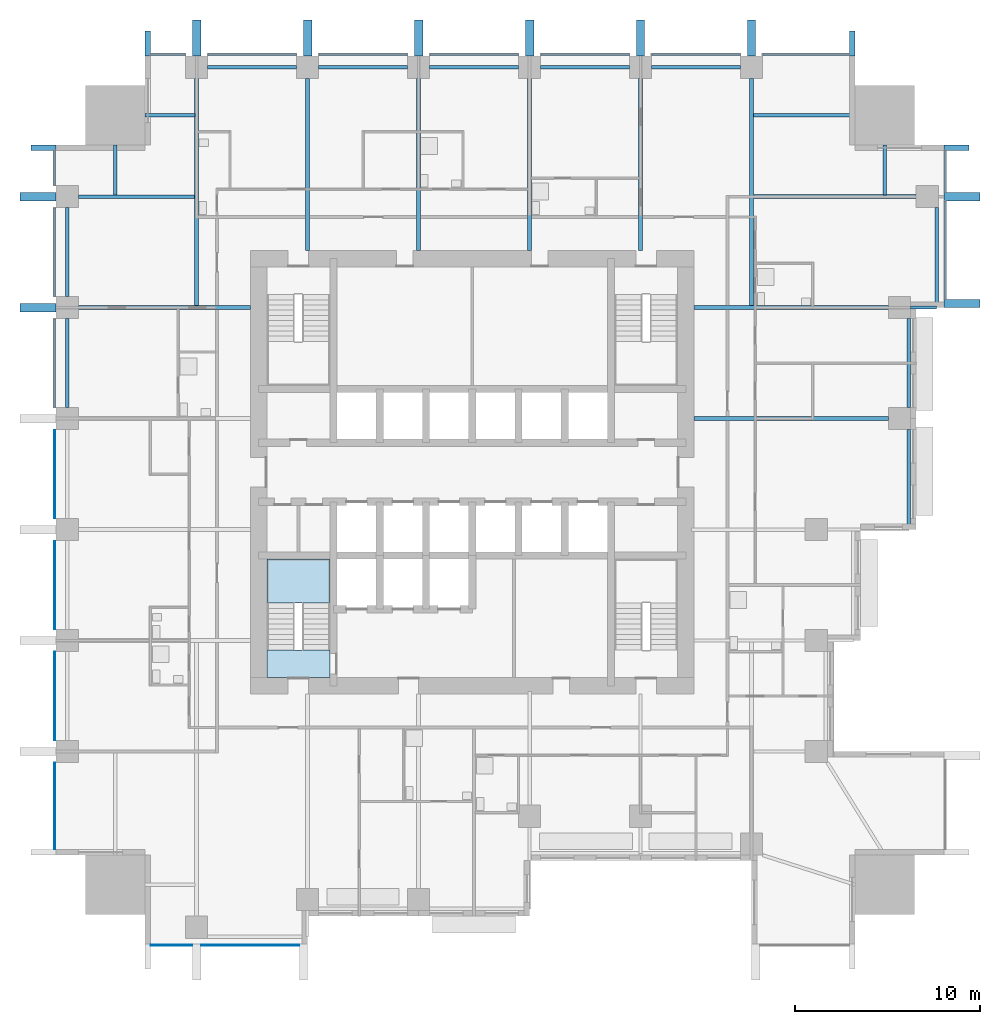
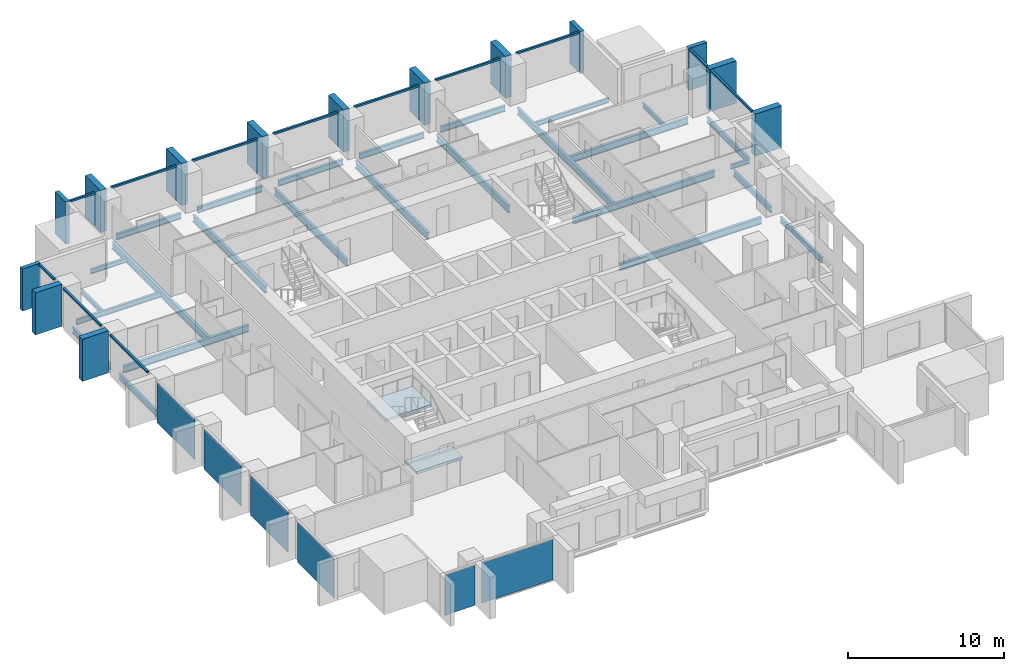
# One storey, part 2 of 10: 26 beams, 26 members, 6 plates, 2 slabs, 5 elements without a shape of their own.
"""IFC4 building model written with IfcOpenShell, lengths in metres."""

import ifcopenshell
import ifcopenshell.guid

model = None  # the IFC model being written
_history = None  # IfcOwnerHistory: only IFC2X3 demands one
_inside = {}  # id of a spatial element -> (the spatial element, [elements in it])
_under = {}  # id of a project, library or spatial element -> (it, [spatial elements below it])
_declared = {}  # id of a project -> (the project, [libraries it declares])
_typed = {}  # id of a type object -> (the type object, [elements of that type])
_made_of = {}  # id of a material, layer set ... -> (it, [elements and type objects made of it])


def new_model(schema):
    """Start an empty IFC model of exactly this schema.

    Asked for "IFC4X3", IfcOpenShell would pick the latest addendum, in which some entities
    have other attributes; the version numbers below select the first issue.
    IFC2X3 requires an IfcOwnerHistory on every rooted entity: one is made here for all.
    """
    global model, _history
    if schema == "IFC4X3":
        model = ifcopenshell.file(schema_version=(4, 3, 0, 0))
    else:
        model = ifcopenshell.file(schema=schema)
    _inside.clear()
    _under.clear()
    _declared.clear()
    _typed.clear()
    _made_of.clear()
    _history = None
    if model.schema == "IFC2X3":
        org = make("IfcOrganization", Name="unknown")
        user = make(
            "IfcPersonAndOrganization",
            ThePerson=make("IfcPerson", FamilyName="unknown"),
            TheOrganization=org,
        )
        app = make(
            "IfcApplication",
            ApplicationDeveloper=org,
            Version="unknown",
            ApplicationFullName="unknown",
            ApplicationIdentifier="unknown",
        )
        _history = make(
            "IfcOwnerHistory",
            OwningUser=user,
            OwningApplication=app,
            ChangeAction="ADDED",
            CreationDate=0,
        )
    return model


def make(cls, **values):
    """One entity of the class cls with the attributes given. An attribute that is None is left unset."""
    return model.create_entity(
        cls, **{name: value for name, value in values.items() if value is not None}
    )


def rooted(cls, **values):
    """An entity with a GlobalId (a new one), such as an element, a storey or a relation."""
    return make(cls, GlobalId=ifcopenshell.guid.new(), OwnerHistory=_history, **values)


def si_unit(unit_type, name, prefix=None):
    """IfcSIUnit, for example si_unit("LENGTHUNIT", "METRE", prefix="MILLI")."""
    return make("IfcSIUnit", UnitType=unit_type, Prefix=prefix, Name=name)


def assignment(units):
    """IfcUnitAssignment: the units of a project."""
    return None if units is None else make("IfcUnitAssignment", Units=units)


def point(xyz):
    """IfcCartesianPoint."""
    return None if xyz is None else make("IfcCartesianPoint", Coordinates=xyz)


def direction(xyz):
    """IfcDirection."""
    return None if xyz is None else make("IfcDirection", DirectionRatios=xyz)


def frame(location, z_axis=None, x_axis=None):
    """IfcAxis2Placement3D, a coordinate frame: its origin and axes. An axis left out is left unset."""
    return make(
        "IfcAxis2Placement3D",
        Location=point(location),
        Axis=direction(z_axis),
        RefDirection=direction(x_axis),
    )


def frame_2d(location, x_axis=None):
    """IfcAxis2Placement2D, a coordinate frame in the plane: its origin and x axis."""
    return make(
        "IfcAxis2Placement2D", Location=point(location), RefDirection=direction(x_axis)
    )


def origin():
    """The frame at (0, 0, 0) with its axes left unset."""
    return frame((0.0, 0.0, 0.0))


def origin_2d():
    """The frame at (0, 0) in the plane with its x axis left unset."""
    return frame_2d((0.0, 0.0))


def place(relative_to, where):
    """IfcLocalPlacement: puts the frame where relative to a parent placement (None: the world)."""
    return make(
        "IfcLocalPlacement", PlacementRelTo=relative_to, RelativePlacement=where
    )


def context(
    kind, dimensions, precision=None, world=None, true_north=None, identifier=None
):
    """IfcGeometricRepresentationContext, for example the 3D "Model" context."""
    return make(
        "IfcGeometricRepresentationContext",
        ContextIdentifier=identifier,
        ContextType=kind,
        CoordinateSpaceDimension=dimensions,
        Precision=precision,
        WorldCoordinateSystem=world,
        TrueNorth=true_north,
    )


def subcontext(parent, identifier, kind, view, scale=None):
    """IfcGeometricRepresentationSubContext, for example "Body" below "Model"."""
    return make(
        "IfcGeometricRepresentationSubContext",
        ContextIdentifier=identifier,
        ContextType=kind,
        ParentContext=parent,
        TargetScale=scale,
        TargetView=view,
    )


def project(units=None, contexts=None):
    """IfcProject with its units and contexts."""
    return rooted(
        "IfcProject",
        Name="project",
        RepresentationContexts=contexts,
        UnitsInContext=assignment(units),
    )


def spatial(cls, under=None, at=None, **own):
    """A site, building, storey or space (cls), placed at a placement, below another one or the project."""
    s = rooted(cls, ObjectPlacement=at, **own)
    if under is not None:
        _under.setdefault(under.id(), (under, []))[1].append(s)
    return s


def polyline(points):
    """IfcPolyline through the points."""
    return make("IfcPolyline", Points=[point(p) for p in points])


def profile(cls, at=None, kind="AREA", **sizes):
    """A parametric profile (cls). Its sizes go by their IFC names, for example OverallWidth=200.0."""
    return make(cls, ProfileType=kind, Position=at, **sizes)


def rectangle(**sizes):
    """IfcRectangleProfileDef."""
    return profile("IfcRectangleProfileDef", **sizes)


def i_section(**sizes):
    """IfcIShapeProfileDef."""
    return profile("IfcIShapeProfileDef", **sizes)


def outline(outer, holes=None, kind="AREA"):
    """IfcArbitraryClosedProfileDef: a profile drawn as a closed curve; with holes, ...WithVoids."""
    if holes is None:
        return make("IfcArbitraryClosedProfileDef", ProfileType=kind, OuterCurve=outer)
    return make(
        "IfcArbitraryProfileDefWithVoids",
        ProfileType=kind,
        OuterCurve=outer,
        InnerCurves=holes,
    )


def extrude(swept, where, along, depth):
    """IfcExtrudedAreaSolid: the profile swept, set in the frame where, extruded along a direction by depth."""
    return make(
        "IfcExtrudedAreaSolid",
        SweptArea=swept,
        Position=where,
        ExtrudedDirection=direction(along),
        Depth=depth,
    )


def shape(context_of_items, identifier, shape_type, items):
    """IfcShapeRepresentation: the items that make up one representation, for example the "Body"."""
    return make(
        "IfcShapeRepresentation",
        ContextOfItems=context_of_items,
        RepresentationIdentifier=identifier,
        RepresentationType=shape_type,
        Items=items,
    )


def material(Name=None, Category=None):
    """IfcMaterial."""
    return make("IfcMaterial", Name=Name, Category=Category)


def layer(
    of_material, thickness, ventilated=None, Name=None, Category=None, Priority=None
):
    """IfcMaterialLayer: one layer of a wall or slab, of a material (None: an air gap)."""
    return make(
        "IfcMaterialLayer",
        Material=of_material,
        LayerThickness=thickness,
        IsVentilated=ventilated,
        Name=Name,
        Category=Category,
        Priority=Priority,
    )


def layer_set(layers, Name=None):
    """IfcMaterialLayerSet."""
    return make("IfcMaterialLayerSet", MaterialLayers=layers, LayerSetName=Name)


def material_profile(
    of_material, cross_section, Name=None, Category=None, Priority=None
):
    """IfcMaterialProfile: a cross section and its material."""
    return make(
        "IfcMaterialProfile",
        Name=Name,
        Material=of_material,
        Profile=cross_section,
        Priority=Priority,
        Category=Category,
    )


def profile_set(profiles, Name=None, composite=None):
    """IfcMaterialProfileSet."""
    return make(
        "IfcMaterialProfileSet",
        Name=Name,
        MaterialProfiles=profiles,
        CompositeProfile=composite,
    )


def made_of(thing, what):
    """Note that an element or type object is made of a material, layer set ...; save() writes the relation."""
    if what is not None:
        _made_of.setdefault(what.id(), (what, []))[1].append(thing)
    return thing


def type_object(cls, material=None, **own):
    """A type object (cls), such as IfcWallType, which elements share."""
    return made_of(rooted(cls, **own), material)


def element(
    cls,
    number,
    at=None,
    inside=None,
    cuts=None,
    type_object=None,
    material=None,
    context=None,
    identifier="Body",
    shape_type=None,
    held_by="IfcProductDefinitionShape",
    body=None,
    shapes=None,
    **own,
):
    """One element of the class cls, such as IfcWall. Its Tag is "e" and its number.

    at: its placement. inside: the storey or other place that contains it. cuts: it is an
    opening in that element (IfcRelVoidsElement). A single representation is given by context,
    identifier, shape_type and body (its items); several are given by shapes. held_by: the class
    of the entity that holds the representations. save() writes the other relations.
    """
    e = rooted(cls, Tag="e%d" % number, ObjectPlacement=at, **own)
    if body is not None:
        shapes = [shape(context, identifier, shape_type, body)]
    if shapes is not None:
        e.Representation = make(held_by, Representations=shapes)
    if inside is not None:
        _inside.setdefault(inside.id(), (inside, []))[1].append(e)
    if cuts is not None:
        rooted(
            "IfcRelVoidsElement", RelatingBuildingElement=cuts, RelatedOpeningElement=e
        )
    if type_object is not None:
        _typed.setdefault(type_object.id(), (type_object, []))[1].append(e)
    return made_of(e, material)


def aggregate(whole, parts):
    """IfcRelAggregates: a whole, such as a stair, and the parts it consists of."""
    return rooted("IfcRelAggregates", RelatingObject=whole, RelatedObjects=parts)


def save(model, path):
    """Write the relations noted so far, then the file.

    IfcRelAggregates (storeys below a building ...), IfcRelContainedInSpatialStructure (elements
    in a storey), IfcRelDefinesByType, IfcRelAssociatesMaterial and IfcRelDeclares: one each for
    every whole, place, type object, material and project.
    """
    for whole, parts in _under.values():
        aggregate(whole, parts)
    for where, things in _inside.values():
        rooted(
            "IfcRelContainedInSpatialStructure",
            RelatedElements=things,
            RelatingStructure=where,
        )
    for kind, things in _typed.values():
        rooted("IfcRelDefinesByType", RelatedObjects=things, RelatingType=kind)
    for what, things in _made_of.values():
        rooted("IfcRelAssociatesMaterial", RelatedObjects=things, RelatingMaterial=what)
    for by, libraries in _declared.values():
        rooted("IfcRelDeclares", RelatingContext=by, RelatedDefinitions=libraries)
    model.write(path)


model = new_model("IFC4")

# Units and contexts
model_context = context("Model", 3, precision=1e-05, world=origin(), true_north=direction((0.0, 1.0)))
body_context = subcontext(model_context, "Body", "Model", "MODEL_VIEW")
ifc_project = project(units=[si_unit("LENGTHUNIT", "METRE"), si_unit("AREAUNIT", "SQUARE_METRE"), si_unit("VOLUMEUNIT", "CUBIC_METRE"), si_unit("PLANEANGLEUNIT", "RADIAN"), si_unit("MASSUNIT", "GRAM", prefix="KILO")], contexts=[model_context])

# Site, building, storey
site_placement = place(None, origin())
site = spatial("IfcSite", under=ifc_project, at=site_placement, CompositionType="ELEMENT")
building_placement = place(site_placement, origin())
building = spatial("IfcBuilding", under=site, at=building_placement, Name="Amberfall Residences", CompositionType="ELEMENT")
storey_placement = place(building_placement, frame((0.0, 0.0, 40.0)))
storey = spatial("IfcBuildingStorey", under=building, at=storey_placement, Name="L10", CompositionType="ELEMENT", Elevation=40.0)

# Curtain wall, members
ifc_material_1 = material(Name="Bronze anodised aluminium and glass", Category="aluminium")
curtain_wall_type = type_object("IfcCurtainWallType", Name="Curtain wall CW1 tower unit", PredefinedType="USERDEFINED", material=ifc_material_1)
curtain_wall_1_placement = place(storey_placement, origin())
curtain_wall_1 = element("IfcCurtainWall", 1, at=curtain_wall_1_placement, inside=storey, type_object=curtain_wall_type, Name="Curtain wall L10 E E10", ObjectType="UNITISED CURTAIN WALL", PredefinedType="USERDEFINED")
ifc_material_2 = material(Name="Bronze anodised aluminium", Category="aluminium")
ifc_material_profile_1 = material_profile(ifc_material_2, rectangle(XDim=0.14990234375, YDim=0.14990234375, at=origin_2d()), Name="CW1 transom 150 x 150 bronze")
ifc_profile_set_1 = profile_set([ifc_material_profile_1], Name="Bronze anodised aluminium")
member_type_1 = type_object("IfcMemberType", Name="CW1 transom 150 x 150 bronze", PredefinedType="USERDEFINED", material=ifc_profile_set_1)
member_1_placement = place(storey_placement, frame((100.074951171875, 54.85009765625, 2.97509765625), z_axis=(0.0, 1.0, 0.0), x_axis=(-1.0, 0.0, 0.0)))
member_1 = element("IfcMember", 2, at=member_1_placement, type_object=member_type_1, Name="CW1 transom 1.1", ObjectType="TRANSOM", PredefinedType="USERDEFINED", context=body_context, shape_type="SweptSolid", body=[
    extrude(rectangle(XDim=0.14990234375, YDim=0.14990234375, at=origin_2d()), origin(), (0.0, 0.0, 1.0), 5.324951171875),
])
member_2_placement = place(storey_placement, frame((100.074951171875, 60.625, 2.97509765625), z_axis=(0.0, 1.0, 0.0), x_axis=(-1.0, 0.0, 0.0)))
member_2 = element("IfcMember", 3, at=member_2_placement, type_object=member_type_1, Name="CW1 transom 2.1", ObjectType="TRANSOM", PredefinedType="USERDEFINED", context=body_context, shape_type="SweptSolid", body=[
    extrude(rectangle(XDim=0.14990234375, YDim=0.14990234375, at=origin_2d()), origin(), (0.0, 0.0, 1.0), 2.27490234375),
])

curtain_wall_2_placement = place(storey_placement, origin())
curtain_wall_2 = element("IfcCurtainWall", 4, at=curtain_wall_2_placement, inside=storey, type_object=curtain_wall_type, Name="Curtain wall L10 N N1", ObjectType="UNITISED CURTAIN WALL", PredefinedType="USERDEFINED")
member_3_placement = place(storey_placement, frame((94.89990234375, 68.074951171875, 2.97509765625), z_axis=(-1.0, 0.0, 0.0), x_axis=(0.0, -1.0, 0.0)))
member_3 = element("IfcMember", 5, at=member_3_placement, type_object=member_type_1, Name="CW1 transom 1.1", ObjectType="TRANSOM", PredefinedType="USERDEFINED", context=body_context, shape_type="SweptSolid", body=[
    extrude(rectangle(XDim=0.14990234375, YDim=0.14990234375, at=origin_2d()), origin(), (0.0, 0.0, 1.0), 4.69482421875),
])
member_4_placement = place(storey_placement, frame((88.9951171875, 68.074951171875, 2.97509765625), z_axis=(-1.0, 0.0, 0.0), x_axis=(0.0, -1.0, 0.0)))
member_4 = element("IfcMember", 6, at=member_4_placement, type_object=member_type_1, Name="CW1 transom 2.1", ObjectType="TRANSOM", PredefinedType="USERDEFINED", context=body_context, shape_type="SweptSolid", body=[
    extrude(rectangle(XDim=0.14990234375, YDim=0.14990234375, at=origin_2d()), origin(), (0.0, 0.0, 1.0), 4.7900390625),
])
member_5_placement = place(storey_placement, frame((82.9951171875, 68.074951171875, 2.97509765625), z_axis=(-1.0, 0.0, 0.0), x_axis=(0.0, -1.0, 0.0)))
member_5 = element("IfcMember", 7, at=member_5_placement, type_object=member_type_1, Name="CW1 transom 3.1", ObjectType="TRANSOM", PredefinedType="USERDEFINED", context=body_context, shape_type="SweptSolid", body=[
    extrude(rectangle(XDim=0.14990234375, YDim=0.14990234375, at=origin_2d()), origin(), (0.0, 0.0, 1.0), 4.7900390625),
])
member_6_placement = place(storey_placement, frame((76.9951171875, 68.074951171875, 2.97509765625), z_axis=(-1.0, 0.0, 0.0), x_axis=(0.0, -1.0, 0.0)))
member_6 = element("IfcMember", 8, at=member_6_placement, type_object=member_type_1, Name="CW1 transom 4.1", ObjectType="TRANSOM", PredefinedType="USERDEFINED", context=body_context, shape_type="SweptSolid", body=[
    extrude(rectangle(XDim=0.14990234375, YDim=0.14990234375, at=origin_2d()), origin(), (0.0, 0.0, 1.0), 4.7900390625),
])
member_7_placement = place(storey_placement, frame((70.9951171875, 68.074951171875, 2.97509765625), z_axis=(-1.0, 0.0, 0.0), x_axis=(0.0, -1.0, 0.0)))
member_7 = element("IfcMember", 9, at=member_7_placement, type_object=member_type_1, Name="CW1 transom 5.1", ObjectType="TRANSOM", PredefinedType="USERDEFINED", context=body_context, shape_type="SweptSolid", body=[
    extrude(rectangle(XDim=0.14990234375, YDim=0.14990234375, at=origin_2d()), origin(), (0.0, 0.0, 1.0), 4.7900390625),
])
member_8_placement = place(storey_placement, frame((64.9951171875, 68.074951171875, 2.97509765625), z_axis=(-1.0, 0.0, 0.0), x_axis=(0.0, -1.0, 0.0)))
member_8 = element("IfcMember", 10, at=member_8_placement, type_object=member_type_1, Name="CW1 transom 6.1", ObjectType="TRANSOM", PredefinedType="USERDEFINED", context=body_context, shape_type="SweptSolid", body=[
    extrude(rectangle(XDim=0.14990234375, YDim=0.14990234375, at=origin_2d()), origin(), (0.0, 0.0, 1.0), 4.7900390625),
])
member_9_placement = place(storey_placement, frame((58.9951171875, 68.074951171875, 2.97509765625), z_axis=(-1.0, 0.0, 0.0), x_axis=(0.0, -1.0, 0.0)))
member_9 = element("IfcMember", 11, at=member_9_placement, type_object=member_type_1, Name="CW1 transom 7.1", ObjectType="TRANSOM", PredefinedType="USERDEFINED", context=body_context, shape_type="SweptSolid", body=[
    extrude(rectangle(XDim=0.14990234375, YDim=0.14990234375, at=origin_2d()), origin(), (0.0, 0.0, 1.0), 1.89501953125),
])

curtain_wall_3_placement = place(storey_placement, origin())
curtain_wall_3 = element("IfcCurtainWall", 12, at=curtain_wall_3_placement, inside=storey, type_object=curtain_wall_type, Name="Curtain wall L10 W W1", ObjectType="UNITISED CURTAIN WALL", PredefinedType="USERDEFINED")
member_10_placement = place(storey_placement, frame((51.925048828125, 62.89990234375, 2.97509765625), z_axis=(0.0, -1.0, 0.0), x_axis=(1.0, 0.0, 0.0)))
member_10 = element("IfcMember", 13, at=member_10_placement, type_object=member_type_1, Name="CW1 transom 1.1", ObjectType="TRANSOM", PredefinedType="USERDEFINED", context=body_context, shape_type="SweptSolid", body=[
    extrude(rectangle(XDim=0.14990234375, YDim=0.14990234375, at=origin_2d()), origin(), (0.0, 0.0, 1.0), 1.89501953125),
])
member_11_placement = place(storey_placement, frame((51.925048828125, 59.794921875, 2.97509765625), z_axis=(0.0, -1.0, 0.0), x_axis=(1.0, 0.0, 0.0)))
member_11 = element("IfcMember", 14, at=member_11_placement, type_object=member_type_1, Name="CW1 transom 2.1", ObjectType="TRANSOM", PredefinedType="USERDEFINED", context=body_context, shape_type="SweptSolid", body=[
    extrude(rectangle(XDim=0.14990234375, YDim=0.14990234375, at=origin_2d()), origin(), (0.0, 0.0, 1.0), 4.7900390625),
])
member_12_placement = place(storey_placement, frame((51.925048828125, 53.794921875, 2.97509765625), z_axis=(0.0, -1.0, 0.0), x_axis=(1.0, 0.0, 0.0)))
member_12 = element("IfcMember", 15, at=member_12_placement, type_object=member_type_1, Name="CW1 transom 3.1", ObjectType="TRANSOM", PredefinedType="USERDEFINED", context=body_context, shape_type="SweptSolid", body=[
    extrude(rectangle(XDim=0.14990234375, YDim=0.14990234375, at=origin_2d()), origin(), (0.0, 0.0, 1.0), 4.7900390625),
])

# Beam
ifc_material_3 = material(Name="Steel S355", Category="steel")
ifc_material_profile_2 = material_profile(ifc_material_3, i_section(OverallWidth=0.171142578125, OverallDepth=0.351318359375, WebThickness=0.007080078125, FlangeThickness=0.009765625, FilletRadius=0.01025390625, at=origin_2d()), Name="UB 356x171x45")
ifc_profile_set_2 = profile_set([ifc_material_profile_2], Name="Steel S355")
beam_type_1 = type_object("IfcBeamType", Name="Cantilever girder UB 356x171x45", PredefinedType="BEAM", material=ifc_profile_set_2)
beam_1_placement = place(storey_placement, frame((98.199951171875, 54.39990234375, -0.42578125), z_axis=(1.0, 0.0, 0.0), x_axis=(0.0, 1.0, 0.0)))
element("IfcBeam", 16, at=beam_1_placement, inside=storey, type_object=beam_type_1, Name="Cantilever girder B8 L10 22", PredefinedType="BEAM", context=body_context, shape_type="SweptSolid", body=[
    extrude(i_section(OverallWidth=0.171142578125, OverallDepth=0.351318359375, WebThickness=0.007080078125, FlangeThickness=0.009765625, FilletRadius=0.01025390625, at=origin_2d()), origin(), (0.0, 0.0, 1.0), 1.400146484375),
])

# Member
ifc_material_profile_3 = material_profile(ifc_material_2, rectangle(XDim=1.35009765625, YDim=0.300048828125, at=origin_2d()), Name="Corner fin 300 x 1350 bronze")
ifc_profile_set_3 = profile_set([ifc_material_profile_3], Name="Bronze anodised aluminium")
member_type_2 = type_object("IfcMemberType", Name="Corner fin 300 x 1350 bronze", PredefinedType="MULLION", material=ifc_profile_set_3)
member_13_placement = place(storey_placement, frame((100.675048828125, 63.050048828125, -0.25), z_axis=(0.0, 0.0, 1.0), x_axis=(-1.0, 0.0, 0.0)))
member_13 = element("IfcMember", 17, at=member_13_placement, type_object=member_type_2, Name="CW FIN 3", PredefinedType="MULLION", context=body_context, shape_type="SweptSolid", body=[
    extrude(rectangle(XDim=1.35009765625, YDim=0.300048828125, at=origin_2d()), origin(), (0.0, 0.0, 1.0), 3.300048828125),
])

member_14_placement = place(storey_placement, frame((95.050048828125, 68.675048828125, -0.25), z_axis=(0.0, 0.0, 1.0), x_axis=(0.0, -1.0, 0.0)))
member_14 = element("IfcMember", 18, at=member_14_placement, type_object=member_type_2, Name="CW FIN 1", PredefinedType="MULLION", context=body_context, shape_type="SweptSolid", body=[
    extrude(rectangle(XDim=1.35009765625, YDim=0.300048828125, at=origin_2d()), origin(), (0.0, 0.0, 1.0), 3.300048828125),
])

member_15_placement = place(storey_placement, frame((56.949951171875, 68.675048828125, -0.25), z_axis=(0.0, 0.0, 1.0), x_axis=(0.0, -1.0, 0.0)))
member_15 = element("IfcMember", 19, at=member_15_placement, type_object=member_type_2, Name="CW FIN 8", PredefinedType="MULLION", context=body_context, shape_type="SweptSolid", body=[
    extrude(rectangle(XDim=1.35009765625, YDim=0.300048828125, at=origin_2d()), origin(), (0.0, 0.0, 1.0), 3.300048828125),
])

member_16_placement = place(storey_placement, frame((51.324951171875, 63.050048828125, -0.25), z_axis=(0.0, 0.0, 1.0), x_axis=(1.0, 0.0, 0.0)))
member_16 = element("IfcMember", 20, at=member_16_placement, type_object=member_type_2, Name="CW FIN 1", PredefinedType="MULLION", context=body_context, shape_type="SweptSolid", body=[
    extrude(rectangle(XDim=1.35009765625, YDim=0.300048828125, at=origin_2d()), origin(), (0.0, 0.0, 1.0), 3.300048828125),
])

# Beams
ifc_material_profile_4 = material_profile(ifc_material_3, i_section(OverallWidth=0.18994140625, OverallDepth=0.453369140625, WebThickness=0.008544921875, FlangeThickness=0.0126953125, FilletRadius=0.01025390625, at=origin_2d()), Name="UB 457x191x67")
ifc_profile_set_4 = profile_set([ifc_material_profile_4], Name="Steel S355")
beam_type_2 = type_object("IfcBeamType", Name="Edge beam UB 457x191x67", PredefinedType="SPANDREL", material=ifc_profile_set_4)
beam_2_placement = place(storey_placement, frame((98.10009765625, 42.47998046875, -0.476806640625), z_axis=(0.0, 1.0, 0.0), x_axis=(-1.0, 0.0, 0.0)))
element("IfcBeam", 21, at=beam_2_placement, inside=storey, type_object=beam_type_2, Name="Edge beam B1 L10 17", PredefinedType="SPANDREL", context=body_context, shape_type="SweptSolid", body=[
    extrude(i_section(OverallWidth=0.18994140625, OverallDepth=0.453369140625, WebThickness=0.008544921875, FlangeThickness=0.0126953125, FilletRadius=0.01025390625, at=origin_2d()), origin(), (0.0, 0.0, 1.0), 5.320068359375),
])
beam_3_placement = place(storey_placement, frame((98.10009765625, 49.0, -0.476806640625), z_axis=(0.0, 1.0, 0.0), x_axis=(-1.0, 0.0, 0.0)))
element("IfcBeam", 22, at=beam_3_placement, inside=storey, type_object=beam_type_2, Name="Edge beam B1 L10 18", PredefinedType="SPANDREL", context=body_context, shape_type="SweptSolid", body=[
    extrude(i_section(OverallWidth=0.18994140625, OverallDepth=0.453369140625, WebThickness=0.008544921875, FlangeThickness=0.0126953125, FilletRadius=0.01025390625, at=origin_2d()), origin(), (0.0, 0.0, 1.0), 4.800048828125),
])
beam_4_placement = place(storey_placement, frame((99.60009765625, 54.47998046875, -0.476806640625), z_axis=(0.0, 1.0, 0.0), x_axis=(-1.0, 0.0, 0.0)))
element("IfcBeam", 23, at=beam_4_placement, inside=storey, type_object=beam_type_2, Name="Edge beam B1 L10 19", PredefinedType="SPANDREL", context=body_context, shape_type="SweptSolid", body=[
    extrude(i_section(OverallWidth=0.18994140625, OverallDepth=0.453369140625, WebThickness=0.008544921875, FlangeThickness=0.0126953125, FilletRadius=0.01025390625, at=origin_2d()), origin(), (0.0, 0.0, 1.0), 5.320068359375),
])
for number, where, z_axis, x_axis, name in (
    (24, (60.199951171875, 67.39990234375, -0.476806640625), (1.0, 0.0, 0.0), (0.0, 1.0, 0.0), "Edge beam B1 L10 29"),
    (25, (66.199951171875, 67.39990234375, -0.476806640625), (1.0, 0.0, 0.0), (0.0, 1.0, 0.0), "Edge beam B1 L10 30"),
    (26, (72.199951171875, 67.39990234375, -0.476806640625), (1.0, 0.0, 0.0), (0.0, 1.0, 0.0), "Edge beam B1 L10 31"),
    (27, (78.199951171875, 67.39990234375, -0.476806640625), (1.0, 0.0, 0.0), (0.0, 1.0, 0.0), "Edge beam B1 L10 32"),
    (28, (84.199951171875, 67.39990234375, -0.476806640625), (1.0, 0.0, 0.0), (0.0, 1.0, 0.0), "Edge beam B1 L10 33"),
    (29, (52.60009765625, 49.0, -0.476806640625), (0.0, 1.0, 0.0), (-1.0, 0.0, 0.0), "Edge beam B1 L10 43"),
    (30, (52.60009765625, 55.0, -0.476806640625), (0.0, 1.0, 0.0), (-1.0, 0.0, 0.0), "Edge beam B1 L10 44"),
):
    element("IfcBeam", number, at=place(storey_placement, frame(where, z_axis=z_axis, x_axis=x_axis)), inside=storey, type_object=beam_type_2, Name=name, PredefinedType="SPANDREL", context=body_context, shape_type="SweptSolid", body=[
        extrude(i_section(OverallWidth=0.18994140625, OverallDepth=0.453369140625, WebThickness=0.008544921875, FlangeThickness=0.0126953125, FilletRadius=0.01025390625, at=origin_2d()), origin(), (0.0, 0.0, 1.0), 4.800048828125),
    ])

# Member
ifc_material_profile_5 = material_profile(ifc_material_2, rectangle(XDim=1.949951171875, YDim=0.449951171875, at=origin_2d()), Name="Fin 450 x 1950 bronze")
ifc_profile_set_5 = profile_set([ifc_material_profile_5], Name="Bronze anodised aluminium")
member_type_3 = type_object("IfcMemberType", Name="Fin 450 x 1950 bronze", PredefinedType="MULLION", material=ifc_profile_set_5)
member_17_placement = place(storey_placement, frame((100.97509765625, 54.625, -0.25), z_axis=(0.0, 0.0, 1.0), x_axis=(-1.0, 0.0, 0.0)))
member_17 = element("IfcMember", 31, at=member_17_placement, type_object=member_type_3, Name="CW FIN 1", PredefinedType="MULLION", context=body_context, shape_type="SweptSolid", body=[
    extrude(rectangle(XDim=1.949951171875, YDim=0.449951171875, at=origin_2d()), origin(), (0.0, 0.0, 1.0), 3.300048828125),
])

member_18_placement = place(storey_placement, frame((100.97509765625, 60.39990234375, -0.25), z_axis=(0.0, 0.0, 1.0), x_axis=(-1.0, 0.0, 0.0)))
member_18 = element("IfcMember", 32, at=member_18_placement, type_object=member_type_3, Name="CW FIN 2", PredefinedType="MULLION", context=body_context, shape_type="SweptSolid", body=[
    extrude(rectangle(XDim=1.949951171875, YDim=0.449951171875, at=origin_2d()), origin(), (0.0, 0.0, 1.0), 3.300048828125),
])

aggregate(curtain_wall_1, [member_17, member_18, member_13, member_1, member_2])

member_19_placement = place(storey_placement, frame((89.60009765625, 68.97509765625, -0.25), z_axis=(0.0, 0.0, 1.0), x_axis=(0.0, -1.0, 0.0)))
member_19 = element("IfcMember", 33, at=member_19_placement, type_object=member_type_3, Name="CW FIN 2", PredefinedType="MULLION", context=body_context, shape_type="SweptSolid", body=[
    extrude(rectangle(XDim=1.949951171875, YDim=0.449951171875, at=origin_2d()), origin(), (0.0, 0.0, 1.0), 3.300048828125),
])

member_20_placement = place(storey_placement, frame((83.60009765625, 68.97509765625, -0.25), z_axis=(0.0, 0.0, 1.0), x_axis=(0.0, -1.0, 0.0)))
member_20 = element("IfcMember", 34, at=member_20_placement, type_object=member_type_3, Name="CW FIN 3", PredefinedType="MULLION", context=body_context, shape_type="SweptSolid", body=[
    extrude(rectangle(XDim=1.949951171875, YDim=0.449951171875, at=origin_2d()), origin(), (0.0, 0.0, 1.0), 3.300048828125),
])

member_21_placement = place(storey_placement, frame((77.60009765625, 68.97509765625, -0.25), z_axis=(0.0, 0.0, 1.0), x_axis=(0.0, -1.0, 0.0)))
member_21 = element("IfcMember", 35, at=member_21_placement, type_object=member_type_3, Name="CW FIN 4", PredefinedType="MULLION", context=body_context, shape_type="SweptSolid", body=[
    extrude(rectangle(XDim=1.949951171875, YDim=0.449951171875, at=origin_2d()), origin(), (0.0, 0.0, 1.0), 3.300048828125),
])

member_22_placement = place(storey_placement, frame((71.60009765625, 68.97509765625, -0.25), z_axis=(0.0, 0.0, 1.0), x_axis=(0.0, -1.0, 0.0)))
member_22 = element("IfcMember", 36, at=member_22_placement, type_object=member_type_3, Name="CW FIN 5", PredefinedType="MULLION", context=body_context, shape_type="SweptSolid", body=[
    extrude(rectangle(XDim=1.949951171875, YDim=0.449951171875, at=origin_2d()), origin(), (0.0, 0.0, 1.0), 3.300048828125),
])

member_23_placement = place(storey_placement, frame((65.60009765625, 68.97509765625, -0.25), z_axis=(0.0, 0.0, 1.0), x_axis=(0.0, -1.0, 0.0)))
member_23 = element("IfcMember", 37, at=member_23_placement, type_object=member_type_3, Name="CW FIN 6", PredefinedType="MULLION", context=body_context, shape_type="SweptSolid", body=[
    extrude(rectangle(XDim=1.949951171875, YDim=0.449951171875, at=origin_2d()), origin(), (0.0, 0.0, 1.0), 3.300048828125),
])

member_24_placement = place(storey_placement, frame((59.60009765625, 68.97509765625, -0.25), z_axis=(0.0, 0.0, 1.0), x_axis=(0.0, -1.0, 0.0)))
member_24 = element("IfcMember", 38, at=member_24_placement, type_object=member_type_3, Name="CW FIN 7", PredefinedType="MULLION", context=body_context, shape_type="SweptSolid", body=[
    extrude(rectangle(XDim=1.949951171875, YDim=0.449951171875, at=origin_2d()), origin(), (0.0, 0.0, 1.0), 3.300048828125),
])

aggregate(curtain_wall_2, [member_14, member_19, member_20, member_21, member_22, member_23, member_24, member_15, member_3, member_4, member_5, member_6, member_7, member_8, member_9])

member_25_placement = place(storey_placement, frame((51.02490234375, 60.39990234375, -0.25), z_axis=(0.0, 0.0, 1.0), x_axis=(1.0, 0.0, 0.0)))
member_25 = element("IfcMember", 39, at=member_25_placement, type_object=member_type_3, Name="CW FIN 2", PredefinedType="MULLION", context=body_context, shape_type="SweptSolid", body=[
    extrude(rectangle(XDim=1.949951171875, YDim=0.449951171875, at=origin_2d()), origin(), (0.0, 0.0, 1.0), 3.300048828125),
])

member_26_placement = place(storey_placement, frame((51.02490234375, 54.39990234375, -0.25), z_axis=(0.0, 0.0, 1.0), x_axis=(1.0, 0.0, 0.0)))
member_26 = element("IfcMember", 40, at=member_26_placement, type_object=member_type_3, Name="CW FIN 3", PredefinedType="MULLION", context=body_context, shape_type="SweptSolid", body=[
    extrude(rectangle(XDim=1.949951171875, YDim=0.449951171875, at=origin_2d()), origin(), (0.0, 0.0, 1.0), 3.300048828125),
])

# Beams
ifc_material_profile_6 = material_profile(ifc_material_3, i_section(OverallWidth=0.177734375, OverallDepth=0.402587890625, WebThickness=0.0078125, FlangeThickness=0.010986328125, FilletRadius=0.01025390625, at=origin_2d()), Name="UB 406x178x54")
ifc_profile_set_6 = profile_set([ifc_material_profile_6], Name="Steel S355")
beam_type_3 = type_object("IfcBeamType", Name="Floor girder UB 406x178x54", PredefinedType="BEAM", material=ifc_profile_set_6)
beam_5_placement = place(storey_placement, frame((53.199951171875, 60.39990234375, -0.451416015625), z_axis=(1.0, 0.0, 0.0), x_axis=(0.0, 1.0, 0.0)))
element("IfcBeam", 41, at=beam_5_placement, inside=storey, type_object=beam_type_3, Name="Floor girder B4 L10 50", PredefinedType="BEAM", context=body_context, shape_type="SweptSolid", body=[
    extrude(i_section(OverallWidth=0.177734375, OverallDepth=0.402587890625, WebThickness=0.0078125, FlangeThickness=0.010986328125, FilletRadius=0.01025390625, at=origin_2d()), origin(), (0.0, 0.0, 1.0), 6.280029296875),
])
ifc_material_profile_7 = material_profile(ifc_material_3, i_section(OverallWidth=0.210693359375, OverallDepth=0.53955078125, WebThickness=0.01171875, FlangeThickness=0.018798828125, FilletRadius=0.0126953125, at=origin_2d()), Name="UB 533x210x109")
ifc_profile_set_7 = profile_set([ifc_material_profile_7], Name="Steel S355")
beam_type_4 = type_object("IfcBeamType", Name="Floor girder UB 533x210x109", PredefinedType="BEAM", material=ifc_profile_set_7)
for number, where, z_axis, x_axis, name in (
    (42, (59.60009765625, 66.800048828125, -0.519775390625), (0.0, -1.0, 0.0), (1.0, 0.0, 0.0), "Floor girder B2 L10 34"),
    (43, (89.60009765625, 66.800048828125, -0.519775390625), (0.0, -1.0, 0.0), (1.0, 0.0, 0.0), "Floor girder B2 L10 39"),
):
    element("IfcBeam", number, at=place(storey_placement, frame(where, z_axis=z_axis, x_axis=x_axis)), inside=storey, type_object=beam_type_4, Name=name, PredefinedType="BEAM", context=body_context, shape_type="SweptSolid", body=[
        extrude(i_section(OverallWidth=0.210693359375, OverallDepth=0.53955078125, WebThickness=0.01171875, FlangeThickness=0.018798828125, FilletRadius=0.0126953125, at=origin_2d()), origin(), (0.0, 0.0, 1.0), 12.300537109375),
    ])
ifc_material_profile_8 = material_profile(ifc_material_3, i_section(OverallWidth=0.209228515625, OverallDepth=0.533203125, WebThickness=0.010009765625, FlangeThickness=0.015625, FilletRadius=0.0126953125, at=origin_2d()), Name="UB 533x210x92")
ifc_profile_set_8 = profile_set([ifc_material_profile_8], Name="Steel S355")
beam_type_5 = type_object("IfcBeamType", Name="Floor girder UB 533x210x92", PredefinedType="BEAM", material=ifc_profile_set_8)
for number, where, z_axis, x_axis, name in (
    (44, (97.0, 48.39990234375, -0.5166015625), (-1.0, 0.0, 0.0), (0.0, -1.0, 0.0), "Floor girder B3 L10 26"),
    (45, (97.0, 54.39990234375, -0.5166015625), (-1.0, 0.0, 0.0), (0.0, -1.0, 0.0), "Floor girder B3 L10 27"),
):
    element("IfcBeam", number, at=place(storey_placement, frame(where, z_axis=z_axis, x_axis=x_axis)), inside=storey, type_object=beam_type_5, Name=name, PredefinedType="BEAM", context=body_context, shape_type="SweptSolid", body=[
        extrude(i_section(OverallWidth=0.209228515625, OverallDepth=0.533203125, WebThickness=0.010009765625, FlangeThickness=0.015625, FilletRadius=0.0126953125, at=origin_2d()), origin(), (0.0, 0.0, 1.0), 10.5),
    ])
beam_6_placement = place(storey_placement, frame((98.5, 60.39990234375, -0.5166015625), z_axis=(-1.0, 0.0, 0.0), x_axis=(0.0, -1.0, 0.0)))
element("IfcBeam", 46, at=beam_6_placement, inside=storey, type_object=beam_type_5, Name="Floor girder B3 L10 28", PredefinedType="BEAM", context=body_context, shape_type="SweptSolid", body=[
    extrude(i_section(OverallWidth=0.209228515625, OverallDepth=0.533203125, WebThickness=0.010009765625, FlangeThickness=0.015625, FilletRadius=0.0126953125, at=origin_2d()), origin(), (0.0, 0.0, 1.0), 8.780029296875),
])
for number, where, z_axis, x_axis, name in (
    (47, (65.60009765625, 66.800048828125, -0.5166015625), (0.0, -1.0, 0.0), (1.0, 0.0, 0.0), "Floor girder B3 L10 35"),
    (48, (71.60009765625, 66.800048828125, -0.5166015625), (0.0, -1.0, 0.0), (1.0, 0.0, 0.0), "Floor girder B3 L10 36"),
    (49, (77.60009765625, 66.800048828125, -0.5166015625), (0.0, -1.0, 0.0), (1.0, 0.0, 0.0), "Floor girder B3 L10 37"),
    (50, (83.60009765625, 66.800048828125, -0.5166015625), (0.0, -1.0, 0.0), (1.0, 0.0, 0.0), "Floor girder B3 L10 38"),
    (51, (53.199951171875, 54.39990234375, -0.5166015625), (1.0, 0.0, 0.0), (0.0, 1.0, 0.0), "Floor girder B3 L10 49"),
):
    element("IfcBeam", number, at=place(storey_placement, frame(where, z_axis=z_axis, x_axis=x_axis)), inside=storey, type_object=beam_type_5, Name=name, PredefinedType="BEAM", context=body_context, shape_type="SweptSolid", body=[
        extrude(i_section(OverallWidth=0.209228515625, OverallDepth=0.533203125, WebThickness=0.010009765625, FlangeThickness=0.015625, FilletRadius=0.0126953125, at=origin_2d()), origin(), (0.0, 0.0, 1.0), 9.300048828125),
    ])
ifc_material_profile_9 = material_profile(ifc_material_3, i_section(OverallWidth=0.171142578125, OverallDepth=0.351318359375, WebThickness=0.007080078125, FlangeThickness=0.009765625, FilletRadius=0.01025390625, at=origin_2d()), Name="UB 356x171x45")
ifc_profile_set_9 = profile_set([ifc_material_profile_9], Name="Steel S355")
beam_type_6 = type_object("IfcBeamType", Name="Link beam UB 356x171x45", PredefinedType="BEAM", material=ifc_profile_set_9)
beam_7_placement = place(storey_placement, frame((95.199951171875, 64.800048828125, -0.42578125), z_axis=(-1.0, 0.0, 0.0), x_axis=(0.0, -1.0, 0.0)))
element("IfcBeam", 52, at=beam_7_placement, inside=storey, type_object=beam_type_6, Name="Link beam B7 L10 55", PredefinedType="BEAM", context=body_context, shape_type="SweptSolid", body=[
    extrude(i_section(OverallWidth=0.171142578125, OverallDepth=0.351318359375, WebThickness=0.007080078125, FlangeThickness=0.009765625, FilletRadius=0.01025390625, at=origin_2d()), origin(), (0.0, 0.0, 1.0), 5.504638671875),
])
beam_8_placement = place(storey_placement, frame((96.800048828125, 63.199951171875, -0.42578125), z_axis=(0.0, -1.0, 0.0), x_axis=(1.0, 0.0, 0.0)))
element("IfcBeam", 53, at=beam_8_placement, inside=storey, type_object=beam_type_6, Name="Link beam B7 L10 56", PredefinedType="BEAM", context=body_context, shape_type="SweptSolid", body=[
    extrude(i_section(OverallWidth=0.171142578125, OverallDepth=0.351318359375, WebThickness=0.007080078125, FlangeThickness=0.009765625, FilletRadius=0.01025390625, at=origin_2d()), origin(), (0.0, 0.0, 1.0), 2.705322265625),
])
beam_9_placement = place(storey_placement, frame((56.800048828125, 64.800048828125, -0.42578125), z_axis=(1.0, 0.0, 0.0), x_axis=(0.0, 1.0, 0.0)))
element("IfcBeam", 54, at=beam_9_placement, inside=storey, type_object=beam_type_6, Name="Link beam B7 L10 57", PredefinedType="BEAM", context=body_context, shape_type="SweptSolid", body=[
    extrude(i_section(OverallWidth=0.171142578125, OverallDepth=0.351318359375, WebThickness=0.007080078125, FlangeThickness=0.009765625, FilletRadius=0.01025390625, at=origin_2d()), origin(), (0.0, 0.0, 1.0), 2.70458984375),
])
beam_10_placement = place(storey_placement, frame((55.199951171875, 63.199951171875, -0.42578125), z_axis=(0.0, -1.0, 0.0), x_axis=(1.0, 0.0, 0.0)))
element("IfcBeam", 55, at=beam_10_placement, inside=storey, type_object=beam_type_6, Name="Link beam B7 L10 58", PredefinedType="BEAM", context=body_context, shape_type="SweptSolid", body=[
    extrude(i_section(OverallWidth=0.171142578125, OverallDepth=0.351318359375, WebThickness=0.007080078125, FlangeThickness=0.009765625, FilletRadius=0.01025390625, at=origin_2d()), origin(), (0.0, 0.0, 1.0), 2.720947265625),
])

# Curtain wall, plates
curtain_wall_4_placement = place(storey_placement, origin())
curtain_wall_4 = element("IfcCurtainWall", 56, at=curtain_wall_4_placement, inside=storey, type_object=curtain_wall_type, Name="Curtain wall L10 S S1", ObjectType="UNITISED CURTAIN WALL", PredefinedType="USERDEFINED")
ifc_material_4 = material(Name="Tinted double glazed unit", Category="glass")
ifc_layer_1 = layer(ifc_material_4, 0.035888671875)
ifc_layer_set_1 = layer_set([ifc_layer_1], Name="CW1 panel 36 glazing")
plate_type = type_object("IfcPlateType", Name="CW1 panel 36 glazing", PredefinedType="CURTAIN_PANEL", material=ifc_layer_set_1)
plate_1_placement = place(storey_placement, frame((58.237548828125, 19.925048828125, -0.25), z_axis=(0.0, 0.0, 1.0), x_axis=(1.0, 0.0, 0.0)))
plate_1 = element("IfcPlate", 57, at=plate_1_placement, type_object=plate_type, Name="CW1 panel 1.1", PredefinedType="CURTAIN_PANEL", context=body_context, shape_type="SweptSolid", body=[
    extrude(rectangle(XDim=2.2509765625, YDim=0.035888671875, at=origin_2d()), origin(), (0.0, 0.0, 1.0), 3.14990234375),
])
plate_2_placement = place(storey_placement, frame((62.487548828125, 19.925048828125, -0.25), z_axis=(0.0, 0.0, 1.0), x_axis=(1.0, 0.0, 0.0)))
plate_2 = element("IfcPlate", 58, at=plate_2_placement, type_object=plate_type, Name="CW1 panel 2.1", PredefinedType="CURTAIN_PANEL", context=body_context, shape_type="SweptSolid", body=[
    extrude(rectangle(XDim=5.301025390625, YDim=0.035888671875, at=origin_2d()), origin(), (0.0, 0.0, 1.0), 3.14990234375),
])
aggregate(curtain_wall_4, [plate_1, plate_2])

# Plate
plate_3_placement = place(storey_placement, frame((51.925048828125, 45.39990234375, -0.25), z_axis=(0.0, 0.0, 1.0), x_axis=(0.0, -1.0, 0.0)))
plate_3 = element("IfcPlate", 59, at=plate_3_placement, type_object=plate_type, Name="CW1 panel 4.1", PredefinedType="CURTAIN_PANEL", context=body_context, shape_type="SweptSolid", body=[
    extrude(rectangle(XDim=4.76611328125, YDim=0.035888671875, at=origin_2d()), origin(), (0.0, 0.0, 1.0), 3.14990234375),
])

plate_4_placement = place(storey_placement, frame((51.925048828125, 39.39990234375, -0.25), z_axis=(0.0, 0.0, 1.0), x_axis=(0.0, -1.0, 0.0)))
plate_4 = element("IfcPlate", 60, at=plate_4_placement, type_object=plate_type, Name="CW1 panel 5.1", PredefinedType="CURTAIN_PANEL", context=body_context, shape_type="SweptSolid", body=[
    extrude(rectangle(XDim=4.76611328125, YDim=0.035888671875, at=origin_2d()), origin(), (0.0, 0.0, 1.0), 3.14990234375),
])

plate_5_placement = place(storey_placement, frame((51.925048828125, 33.39990234375, -0.25), z_axis=(0.0, 0.0, 1.0), x_axis=(0.0, -1.0, 0.0)))
plate_5 = element("IfcPlate", 61, at=plate_5_placement, type_object=plate_type, Name="CW1 panel 6.1", PredefinedType="CURTAIN_PANEL", context=body_context, shape_type="SweptSolid", body=[
    extrude(rectangle(XDim=4.76611328125, YDim=0.035888671875, at=origin_2d()), origin(), (0.0, 0.0, 1.0), 3.14990234375),
])

plate_6_placement = place(storey_placement, frame((51.925048828125, 27.447509765625, -0.25), z_axis=(0.0, 0.0, 1.0), x_axis=(0.0, -1.0, 0.0)))
plate_6 = element("IfcPlate", 62, at=plate_6_placement, type_object=plate_type, Name="CW1 panel 7.1", PredefinedType="CURTAIN_PANEL", context=body_context, shape_type="SweptSolid", body=[
    extrude(rectangle(XDim=4.6708984375, YDim=0.035888671875, at=origin_2d()), origin(), (0.0, 0.0, 1.0), 3.14990234375),
])

aggregate(curtain_wall_3, [member_16, member_25, member_26, member_10, member_11, member_12, plate_3, plate_4, plate_5, plate_6])

# Stair, slabs
ifc_material_5 = material(Name="Concrete C40", Category="concrete")
stair_type = type_object("IfcStairType", Name="Exit stair 20 risers 165.0 mm", PredefinedType="HALF_TURN_STAIR", material=ifc_material_5)
stair_placement = place(storey_placement, origin())
stair = element("IfcStair", 63, at=stair_placement, inside=storey, type_object=stair_type, Name="L10 Exit stair 1", PredefinedType="HALF_TURN_STAIR")
ifc_layer_2 = layer(ifc_material_5, 0.199951171875)
ifc_layer_set_2 = layer_set([ifc_layer_2], Name="Stair landing 200")
slab_type = type_object("IfcSlabType", Name="Stair landing 200", PredefinedType="LANDING", material=ifc_layer_set_2)
slab_1_placement = place(storey_placement, frame((0.0, 0.0, 1.449951171875)))
slab_1 = element("IfcSlab", 64, at=slab_1_placement, type_object=slab_type, Name="ST3 landing 1", PredefinedType="LANDING", context=body_context, shape_type="SweptSolid", body=[
    extrude(outline(polyline([(66.800048828125, 38.419921875), (66.800048828125, 40.800048828125), (63.39990234375, 40.800048828125), (63.39990234375, 38.419921875), (66.800048828125, 38.419921875)])), origin(), (0.0, 0.0, 1.0), 0.199951171875),
])
slab_2_placement = place(storey_placement, frame((0.0, 0.0, -0.199951171875)))
slab_2 = element("IfcSlab", 65, at=slab_2_placement, type_object=slab_type, Name="ST3 landing 2", PredefinedType="LANDING", context=body_context, shape_type="SweptSolid", body=[
    extrude(outline(polyline([(66.800048828125, 34.39990234375), (66.800048828125, 35.89990234375), (63.39990234375, 35.89990234375), (63.39990234375, 34.39990234375), (66.800048828125, 34.39990234375)])), origin(), (0.0, 0.0, 1.0), 0.199951171875),
])
aggregate(stair, [slab_1, slab_2])

save(model, "model.ifc")
